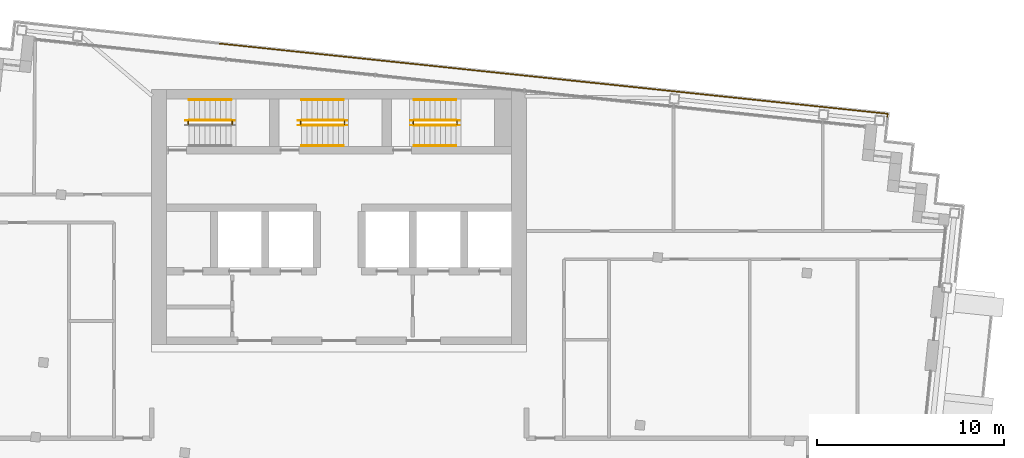
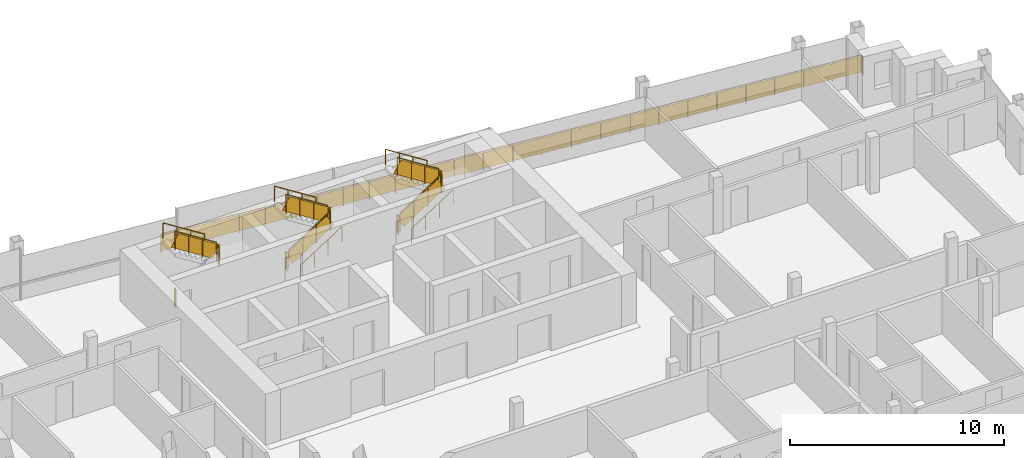
# One storey, part 15 of 16: 19 railings.
"""IFC4 building model written with IfcOpenShell, lengths in metres."""

from ifc_helpers import new_model, si_unit, direction, frame, origin, origin_2d, place, context, subcontext, project, spatial, rectangle, circle, extrude, material, type_object, element, save


model = new_model("IFC4")

# Units and contexts
model_context = context("Model", 3, precision=1e-05, world=origin(), true_north=direction((0.0, 1.0)))
body_context = subcontext(model_context, "Body", "Model", "MODEL_VIEW")
ifc_project = project(units=[si_unit("LENGTHUNIT", "METRE"), si_unit("AREAUNIT", "SQUARE_METRE"), si_unit("VOLUMEUNIT", "CUBIC_METRE"), si_unit("PLANEANGLEUNIT", "RADIAN"), si_unit("MASSUNIT", "GRAM", prefix="KILO")], contexts=[model_context])

# Site, building, storey
site_placement = place(None, origin())
site = spatial("IfcSite", under=ifc_project, at=site_placement, CompositionType="ELEMENT")
building_placement = place(site_placement, origin())
building = spatial("IfcBuilding", under=site, at=building_placement, Name="Vidyagriha Tower", CompositionType="ELEMENT")
storey_placement = place(building_placement, frame((0.0, 0.0, 259.5)))
storey = spatial("IfcBuildingStorey", under=building, at=storey_placement, Name="L67", CompositionType="ELEMENT", Elevation=259.5)

# Railings
ifc_material_1 = material(Name="Steel ASTM A500 Grade C black painted", Category="steel")
railing_type_1 = type_object("IfcRailingType", Name="Gallery guard 1100", PredefinedType="GUARDRAIL", material=ifc_material_1)
railing_1_placement = place(storey_placement, frame((-6.382080078125, 22.45068359375, 0.0)))
element("IfcRailing", 1, at=railing_1_placement, inside=storey, type_object=railing_type_1, Name="Gallery guard L67 6", PredefinedType="GUARDRAIL", context=body_context, shape_type="SweptSolid", body=[
    extrude(circle(Radius=0.02490234375, at=origin_2d()), frame((0.0, 0.0, 1.0751953125), z_axis=(0.994523609071, -0.104512157188, 0.0), x_axis=(0.104512157188, 0.994523609071, 0.0)), (0.0, 0.0, 1.0), 12.0),
    extrude(circle(Radius=0.02001953125, at=origin_2d()), origin(), (0.0, 0.0, 1.0), 1.050048828125),
    extrude(circle(Radius=0.02001953125, at=origin_2d()), frame((1.325927734375, -0.139404296875, 0.0)), (0.0, 0.0, 1.0), 1.050048828125),
    extrude(circle(Radius=0.02001953125, at=origin_2d()), frame((2.652099609375, -0.27880859375, 0.0)), (0.0, 0.0, 1.0), 1.050048828125),
    extrude(circle(Radius=0.02001953125, at=origin_2d()), frame((3.97802734375, -0.41796875, 0.0)), (0.0, 0.0, 1.0), 1.050048828125),
    extrude(circle(Radius=0.02001953125, at=origin_2d()), frame((5.30419921875, -0.557373046875, 0.0)), (0.0, 0.0, 1.0), 1.050048828125),
    extrude(circle(Radius=0.02001953125, at=origin_2d()), frame((6.630126953125, -0.69677734375, 0.0)), (0.0, 0.0, 1.0), 1.050048828125),
    extrude(circle(Radius=0.02001953125, at=origin_2d()), frame((7.956298828125, -0.836181640625, 0.0)), (0.0, 0.0, 1.0), 1.050048828125),
    extrude(circle(Radius=0.02001953125, at=origin_2d()), frame((9.2822265625, -0.975341796875, 0.0)), (0.0, 0.0, 1.0), 1.050048828125),
    extrude(circle(Radius=0.02001953125, at=origin_2d()), frame((10.6083984375, -1.11474609375, 0.0)), (0.0, 0.0, 1.0), 1.050048828125),
    extrude(circle(Radius=0.02001953125, at=origin_2d()), frame((11.934326171875, -1.254150390625, 0.0)), (0.0, 0.0, 1.0), 1.050048828125),
    extrude(rectangle(XDim=0.010009765625, YDim=0.900146484375, at=origin_2d()), frame((0.0, 0.0, 0.550048828125), z_axis=(0.994523609071, -0.104512157188, 0.0), x_axis=(0.104512157188, 0.994523609071, 0.0)), (0.0, 0.0, 1.0), 12.0),
])
railing_2_placement = place(storey_placement, frame((5.55224609375, 21.196533203125, 0.0)))
element("IfcRailing", 2, at=railing_2_placement, inside=storey, type_object=railing_type_1, Name="Gallery guard L67 7", PredefinedType="GUARDRAIL", context=body_context, shape_type="SweptSolid", body=[
    extrude(circle(Radius=0.02490234375, at=origin_2d()), frame((0.0, 0.0, 1.0751953125), z_axis=(0.994521271903, -0.104534394972, 0.0), x_axis=(0.104534394972, 0.994521271903, 0.0)), (0.0, 0.0, 1.0), 11.999755859375),
    extrude(circle(Radius=0.02001953125, at=origin_2d()), origin(), (0.0, 0.0, 1.0), 1.050048828125),
    extrude(circle(Radius=0.02001953125, at=origin_2d()), frame((1.49169921875, -0.15673828125, 0.0)), (0.0, 0.0, 1.0), 1.050048828125),
    extrude(circle(Radius=0.02001953125, at=origin_2d()), frame((2.9833984375, -0.3134765625, 0.0)), (0.0, 0.0, 1.0), 1.050048828125),
    extrude(circle(Radius=0.02001953125, at=origin_2d()), frame((4.475341796875, -0.470458984375, 0.0)), (0.0, 0.0, 1.0), 1.050048828125),
    extrude(circle(Radius=0.02001953125, at=origin_2d()), frame((5.967041015625, -0.627197265625, 0.0)), (0.0, 0.0, 1.0), 1.050048828125),
    extrude(circle(Radius=0.02001953125, at=origin_2d()), frame((7.458740234375, -0.783935546875, 0.0)), (0.0, 0.0, 1.0), 1.050048828125),
    extrude(circle(Radius=0.02001953125, at=origin_2d()), frame((8.95068359375, -0.94091796875, 0.0)), (0.0, 0.0, 1.0), 1.050048828125),
    extrude(circle(Radius=0.02001953125, at=origin_2d()), frame((10.4423828125, -1.09765625, 0.0)), (0.0, 0.0, 1.0), 1.050048828125),
    extrude(circle(Radius=0.02001953125, at=origin_2d()), frame((11.93408203125, -1.25439453125, 0.0)), (0.0, 0.0, 1.0), 1.050048828125),
    extrude(rectangle(XDim=0.010009765625, YDim=0.900146484375, at=origin_2d()), frame((0.0, 0.0, 0.550048828125), z_axis=(0.994521271903, -0.104534394972, 0.0), x_axis=(0.104534394972, 0.994521271903, 0.0)), (0.0, 0.0, 1.0), 11.999755859375),
])
railing_3_placement = place(storey_placement, frame((17.486328125, 19.942138671875, 0.0)))
element("IfcRailing", 3, at=railing_3_placement, inside=storey, type_object=railing_type_1, Name="Gallery guard L67 8", PredefinedType="GUARDRAIL", context=body_context, shape_type="SweptSolid", body=[
    extrude(circle(Radius=0.02490234375, at=origin_2d()), frame((0.0, 0.0, 1.0751953125), z_axis=(0.994522500633, -0.104522704396, 0.0), x_axis=(0.104522704396, 0.994522500633, 0.0)), (0.0, 0.0, 1.0), 11.840087890625),
    extrude(circle(Radius=0.02490234375, at=origin_2d()), frame((11.775146484375, -1.237548828125, 1.0751953125), z_axis=(-0.105240535143, -0.994446795843, 0.0), x_axis=(0.994446795843, -0.105240535143, 0.0)), (0.0, 0.0, 1.0), 0.16015625),
    extrude(circle(Radius=0.02001953125, at=origin_2d()), origin(), (0.0, 0.0, 1.0), 1.050048828125),
    extrude(circle(Radius=0.02001953125, at=origin_2d()), frame((1.471923828125, -0.15478515625, 0.0)), (0.0, 0.0, 1.0), 1.050048828125),
    extrude(circle(Radius=0.02001953125, at=origin_2d()), frame((2.94384765625, -0.309326171875, 0.0)), (0.0, 0.0, 1.0), 1.050048828125),
    extrude(circle(Radius=0.02001953125, at=origin_2d()), frame((4.415771484375, -0.464111328125, 0.0)), (0.0, 0.0, 1.0), 1.050048828125),
    extrude(circle(Radius=0.02001953125, at=origin_2d()), frame((5.8876953125, -0.61865234375, 0.0)), (0.0, 0.0, 1.0), 1.050048828125),
    extrude(circle(Radius=0.02001953125, at=origin_2d()), frame((7.359375, -0.7734375, 0.0)), (0.0, 0.0, 1.0), 1.050048828125),
    extrude(circle(Radius=0.02001953125, at=origin_2d()), frame((8.831298828125, -0.92822265625, 0.0)), (0.0, 0.0, 1.0), 1.050048828125),
    extrude(circle(Radius=0.02001953125, at=origin_2d()), frame((10.30322265625, -1.082763671875, 0.0)), (0.0, 0.0, 1.0), 1.050048828125),
    extrude(circle(Radius=0.02001953125, at=origin_2d()), frame((11.775146484375, -1.237548828125, 0.0)), (0.0, 0.0, 1.0), 1.050048828125),
    extrude(circle(Radius=0.02001953125, at=origin_2d()), frame((11.75830078125, -1.396728515625, 0.0)), (0.0, 0.0, 1.0), 1.050048828125),
    extrude(rectangle(XDim=0.010009765625, YDim=0.900146484375, at=origin_2d()), frame((0.0, 0.0, 0.550048828125), z_axis=(0.994522500633, -0.104522704396, 0.0), x_axis=(0.104522704396, 0.994522500633, 0.0)), (0.0, 0.0, 1.0), 11.840087890625),
    extrude(rectangle(XDim=0.010009765625, YDim=0.900146484375, at=origin_2d()), frame((11.775146484375, -1.237548828125, 0.550048828125), z_axis=(-0.105240535143, -0.994446795843, 0.0), x_axis=(0.994446795843, -0.105240535143, 0.0)), (0.0, 0.0, 1.0), 0.16015625),
])
ifc_material_2 = material(Name="Steel ASTM A500 Grade C", Category="steel")
railing_type_2 = type_object("IfcRailingType", Name="Stair guard 1100 mm, steel balustrade", PredefinedType="GUARDRAIL", material=ifc_material_2)
railing_4_placement = place(storey_placement, frame((-5.7099609375, 18.14990234375, 1.60009765625)))
element("IfcRailing", 4, at=railing_4_placement, inside=storey, type_object=railing_type_2, Name="L67 ST1 stair guard 2", PredefinedType="GUARDRAIL", context=body_context, shape_type="SweptSolid", body=[
    extrude(circle(Radius=0.02392578125, at=origin_2d()), frame((0.0, 0.0, 1.076171875), z_axis=(0.0, 1.0, 0.0), x_axis=(-1.0, 0.0, 0.0)), (0.0, 0.0, 1.0), 0.150146484375),
    extrude(circle(Radius=0.02099609375, at=origin_2d()), origin(), (0.0, 0.0, 1.0), 1.052001953125),
    extrude(circle(Radius=0.02099609375, at=origin_2d()), frame((0.0, 0.150146484375, 0.0)), (0.0, 0.0, 1.0), 1.052001953125),
    extrude(rectangle(XDim=0.010009765625, YDim=0.902099609375, at=origin_2d()), frame((0.0, 0.0, 0.551025390625), z_axis=(0.0, 1.0, 0.0), x_axis=(-1.0, 0.0, 0.0)), (0.0, 0.0, 1.0), 0.150146484375),
])
railing_5_placement = place(storey_placement, frame((-5.760009765625, 18.35009765625, 1.77783203125)))
element("IfcRailing", 5, at=railing_5_placement, inside=storey, type_object=railing_type_2, Name="L67 ST1 stair guard 3", PredefinedType="GUARDRAIL", context=body_context, shape_type="SweptSolid", body=[
    extrude(circle(Radius=0.02392578125, at=origin_2d()), frame((0.0, 0.0, 1.076171875), z_axis=(-0.8442293374, 0.0, 0.53598211339), x_axis=(0.0, -1.0, 0.0)), (0.0, 0.0, 1.0), 2.6533203125),
    extrude(circle(Radius=0.02099609375, at=origin_2d()), origin(), (0.0, 0.0, 1.0), 1.052001953125),
    extrude(circle(Radius=0.02099609375, at=origin_2d()), frame((-0.74658203125, 0.0, 0.47412109375)), (0.0, 0.0, 1.0), 1.052001953125),
    extrude(circle(Radius=0.02099609375, at=origin_2d()), frame((-1.493408203125, 0.0, 0.947998046875)), (0.0, 0.0, 1.0), 1.052001953125),
    extrude(circle(Radius=0.02099609375, at=origin_2d()), frame((-2.239990234375, 0.0, 1.422119140625)), (0.0, 0.0, 1.0), 1.052001953125),
    extrude(rectangle(XDim=0.010009765625, YDim=0.761474609375, at=origin_2d()), frame((0.0, 0.0, 0.551025390625), z_axis=(-0.8442293374, 0.0, 0.53598211339), x_axis=(0.0, -1.0, 0.0)), (0.0, 0.0, 1.0), 2.6533203125),
])
railing_6_placement = place(storey_placement, frame((-8.050048828125, 18.14990234375, 0.0)))
element("IfcRailing", 6, at=railing_6_placement, inside=storey, type_object=railing_type_2, Name="L67 ST1 stair guard 4", PredefinedType="GUARDRAIL", context=body_context, shape_type="SweptSolid", body=[
    extrude(circle(Radius=0.02392578125, at=origin_2d()), frame((0.0, 0.0, 1.076171875), z_axis=(0.0, 1.0, 0.0), x_axis=(-1.0, 0.0, 0.0)), (0.0, 0.0, 1.0), 0.150146484375),
    extrude(circle(Radius=0.02099609375, at=origin_2d()), origin(), (0.0, 0.0, 1.0), 1.052001953125),
    extrude(circle(Radius=0.02099609375, at=origin_2d()), frame((0.0, 0.150146484375, 0.0)), (0.0, 0.0, 1.0), 1.052001953125),
    extrude(rectangle(XDim=0.010009765625, YDim=0.902099609375, at=origin_2d()), frame((0.0, 0.0, 0.551025390625), z_axis=(0.0, 1.0, 0.0), x_axis=(-1.0, 0.0, 0.0)), (0.0, 0.0, 1.0), 0.150146484375),
])
railing_7_placement = place(storey_placement, frame((-2.0, 18.10009765625, 0.177734375)))
element("IfcRailing", 7, at=railing_7_placement, inside=storey, type_object=railing_type_2, Name="L67 ST2 stair guard 1", PredefinedType="GUARDRAIL", context=body_context, shape_type="SweptSolid", body=[
    extrude(circle(Radius=0.02392578125, at=origin_2d()), frame((0.0, 0.0, 1.076171875), z_axis=(0.84418770128, 0.0, 0.536047689118), x_axis=(0.0, 1.0, 0.0)), (0.0, 0.0, 1.0), 2.6533203125),
    extrude(circle(Radius=0.02099609375, at=origin_2d()), origin(), (0.0, 0.0, 1.0), 1.052001953125),
    extrude(circle(Radius=0.02099609375, at=origin_2d()), frame((0.74658203125, 0.0, 0.47412109375)), (0.0, 0.0, 1.0), 1.052001953125),
    extrude(circle(Radius=0.02099609375, at=origin_2d()), frame((1.493408203125, 0.0, 0.9482421875)), (0.0, 0.0, 1.0), 1.052001953125),
    extrude(circle(Radius=0.02099609375, at=origin_2d()), frame((2.239990234375, 0.0, 1.42236328125)), (0.0, 0.0, 1.0), 1.052001953125),
    extrude(rectangle(XDim=0.010009765625, YDim=0.761474609375, at=origin_2d()), frame((0.0, 0.0, 0.551025390625), z_axis=(0.84418770128, 0.0, 0.536047689118), x_axis=(0.0, 1.0, 0.0)), (0.0, 0.0, 1.0), 2.6533203125),
])
railing_8_placement = place(storey_placement, frame((0.2900390625, 18.14990234375, 1.60009765625)))
element("IfcRailing", 8, at=railing_8_placement, inside=storey, type_object=railing_type_2, Name="L67 ST2 stair guard 2", PredefinedType="GUARDRAIL", context=body_context, shape_type="SweptSolid", body=[
    extrude(circle(Radius=0.02392578125, at=origin_2d()), frame((0.0, 0.0, 1.076171875), z_axis=(0.0, 1.0, 0.0), x_axis=(-1.0, 0.0, 0.0)), (0.0, 0.0, 1.0), 0.150146484375),
    extrude(circle(Radius=0.02099609375, at=origin_2d()), origin(), (0.0, 0.0, 1.0), 1.052001953125),
    extrude(circle(Radius=0.02099609375, at=origin_2d()), frame((0.0, 0.150146484375, 0.0)), (0.0, 0.0, 1.0), 1.052001953125),
    extrude(rectangle(XDim=0.010009765625, YDim=0.902099609375, at=origin_2d()), frame((0.0, 0.0, 0.551025390625), z_axis=(0.0, 1.0, 0.0), x_axis=(-1.0, 0.0, 0.0)), (0.0, 0.0, 1.0), 0.150146484375),
])
railing_9_placement = place(storey_placement, frame((0.239990234375, 18.35009765625, 1.77783203125)))
element("IfcRailing", 9, at=railing_9_placement, inside=storey, type_object=railing_type_2, Name="L67 ST2 stair guard 3", PredefinedType="GUARDRAIL", context=body_context, shape_type="SweptSolid", body=[
    extrude(circle(Radius=0.02392578125, at=origin_2d()), frame((0.0, 0.0, 1.076171875), z_axis=(-0.8442293374, 0.0, 0.53598211339), x_axis=(0.0, -1.0, 0.0)), (0.0, 0.0, 1.0), 2.6533203125),
    extrude(circle(Radius=0.02099609375, at=origin_2d()), origin(), (0.0, 0.0, 1.0), 1.052001953125),
    extrude(circle(Radius=0.02099609375, at=origin_2d()), frame((-0.74658203125, 0.0, 0.47412109375)), (0.0, 0.0, 1.0), 1.052001953125),
    extrude(circle(Radius=0.02099609375, at=origin_2d()), frame((-1.493408203125, 0.0, 0.947998046875)), (0.0, 0.0, 1.0), 1.052001953125),
    extrude(circle(Radius=0.02099609375, at=origin_2d()), frame((-2.239990234375, 0.0, 1.422119140625)), (0.0, 0.0, 1.0), 1.052001953125),
    extrude(rectangle(XDim=0.010009765625, YDim=0.761474609375, at=origin_2d()), frame((0.0, 0.0, 0.551025390625), z_axis=(-0.8442293374, 0.0, 0.53598211339), x_axis=(0.0, -1.0, 0.0)), (0.0, 0.0, 1.0), 2.6533203125),
])
railing_10_placement = place(storey_placement, frame((-2.050048828125, 18.14990234375, 0.0)))
element("IfcRailing", 10, at=railing_10_placement, inside=storey, type_object=railing_type_2, Name="L67 ST2 stair guard 4", PredefinedType="GUARDRAIL", context=body_context, shape_type="SweptSolid", body=[
    extrude(circle(Radius=0.02392578125, at=origin_2d()), frame((0.0, 0.0, 1.076171875), z_axis=(0.0, 1.0, 0.0), x_axis=(-1.0, 0.0, 0.0)), (0.0, 0.0, 1.0), 0.150146484375),
    extrude(circle(Radius=0.02099609375, at=origin_2d()), origin(), (0.0, 0.0, 1.0), 1.052001953125),
    extrude(circle(Radius=0.02099609375, at=origin_2d()), frame((0.0, 0.150146484375, 0.0)), (0.0, 0.0, 1.0), 1.052001953125),
    extrude(rectangle(XDim=0.010009765625, YDim=0.902099609375, at=origin_2d()), frame((0.0, 0.0, 0.551025390625), z_axis=(0.0, 1.0, 0.0), x_axis=(-1.0, 0.0, 0.0)), (0.0, 0.0, 1.0), 0.150146484375),
])
railing_11_placement = place(storey_placement, frame((4.0, 18.10009765625, 0.177734375)))
element("IfcRailing", 11, at=railing_11_placement, inside=storey, type_object=railing_type_2, Name="L67 ST3 stair guard 1", PredefinedType="GUARDRAIL", context=body_context, shape_type="SweptSolid", body=[
    extrude(circle(Radius=0.02392578125, at=origin_2d()), frame((0.0, 0.0, 1.076171875), z_axis=(0.84418770128, 0.0, 0.536047689118), x_axis=(0.0, 1.0, 0.0)), (0.0, 0.0, 1.0), 2.6533203125),
    extrude(circle(Radius=0.02099609375, at=origin_2d()), origin(), (0.0, 0.0, 1.0), 1.052001953125),
    extrude(circle(Radius=0.02099609375, at=origin_2d()), frame((0.74658203125, 0.0, 0.47412109375)), (0.0, 0.0, 1.0), 1.052001953125),
    extrude(circle(Radius=0.02099609375, at=origin_2d()), frame((1.493408203125, 0.0, 0.9482421875)), (0.0, 0.0, 1.0), 1.052001953125),
    extrude(circle(Radius=0.02099609375, at=origin_2d()), frame((2.239990234375, 0.0, 1.42236328125)), (0.0, 0.0, 1.0), 1.052001953125),
    extrude(rectangle(XDim=0.010009765625, YDim=0.761474609375, at=origin_2d()), frame((0.0, 0.0, 0.551025390625), z_axis=(0.84418770128, 0.0, 0.536047689118), x_axis=(0.0, 1.0, 0.0)), (0.0, 0.0, 1.0), 2.6533203125),
])
railing_12_placement = place(storey_placement, frame((6.2900390625, 18.14990234375, 1.60009765625)))
element("IfcRailing", 12, at=railing_12_placement, inside=storey, type_object=railing_type_2, Name="L67 ST3 stair guard 2", PredefinedType="GUARDRAIL", context=body_context, shape_type="SweptSolid", body=[
    extrude(circle(Radius=0.02392578125, at=origin_2d()), frame((0.0, 0.0, 1.076171875), z_axis=(0.0, 1.0, 0.0), x_axis=(-1.0, 0.0, 0.0)), (0.0, 0.0, 1.0), 0.150146484375),
    extrude(circle(Radius=0.02099609375, at=origin_2d()), origin(), (0.0, 0.0, 1.0), 1.052001953125),
    extrude(circle(Radius=0.02099609375, at=origin_2d()), frame((0.0, 0.150146484375, 0.0)), (0.0, 0.0, 1.0), 1.052001953125),
    extrude(rectangle(XDim=0.010009765625, YDim=0.902099609375, at=origin_2d()), frame((0.0, 0.0, 0.551025390625), z_axis=(0.0, 1.0, 0.0), x_axis=(-1.0, 0.0, 0.0)), (0.0, 0.0, 1.0), 0.150146484375),
])
railing_13_placement = place(storey_placement, frame((6.239990234375, 18.35009765625, 1.77783203125)))
element("IfcRailing", 13, at=railing_13_placement, inside=storey, type_object=railing_type_2, Name="L67 ST3 stair guard 3", PredefinedType="GUARDRAIL", context=body_context, shape_type="SweptSolid", body=[
    extrude(circle(Radius=0.02392578125, at=origin_2d()), frame((0.0, 0.0, 1.076171875), z_axis=(-0.8442293374, 0.0, 0.53598211339), x_axis=(0.0, -1.0, 0.0)), (0.0, 0.0, 1.0), 2.6533203125),
    extrude(circle(Radius=0.02099609375, at=origin_2d()), origin(), (0.0, 0.0, 1.0), 1.052001953125),
    extrude(circle(Radius=0.02099609375, at=origin_2d()), frame((-0.74658203125, 0.0, 0.47412109375)), (0.0, 0.0, 1.0), 1.052001953125),
    extrude(circle(Radius=0.02099609375, at=origin_2d()), frame((-1.493408203125, 0.0, 0.947998046875)), (0.0, 0.0, 1.0), 1.052001953125),
    extrude(circle(Radius=0.02099609375, at=origin_2d()), frame((-2.239990234375, 0.0, 1.422119140625)), (0.0, 0.0, 1.0), 1.052001953125),
    extrude(rectangle(XDim=0.010009765625, YDim=0.761474609375, at=origin_2d()), frame((0.0, 0.0, 0.551025390625), z_axis=(-0.8442293374, 0.0, 0.53598211339), x_axis=(0.0, -1.0, 0.0)), (0.0, 0.0, 1.0), 2.6533203125),
])
railing_14_placement = place(storey_placement, frame((3.949951171875, 18.14990234375, 0.0)))
element("IfcRailing", 14, at=railing_14_placement, inside=storey, type_object=railing_type_2, Name="L67 ST3 stair guard 4", PredefinedType="GUARDRAIL", context=body_context, shape_type="SweptSolid", body=[
    extrude(circle(Radius=0.02392578125, at=origin_2d()), frame((0.0, 0.0, 1.076171875), z_axis=(0.0, 1.0, 0.0), x_axis=(-1.0, 0.0, 0.0)), (0.0, 0.0, 1.0), 0.150146484375),
    extrude(circle(Radius=0.02099609375, at=origin_2d()), origin(), (0.0, 0.0, 1.0), 1.052001953125),
    extrude(circle(Radius=0.02099609375, at=origin_2d()), frame((0.0, 0.150146484375, 0.0)), (0.0, 0.0, 1.0), 1.052001953125),
    extrude(rectangle(XDim=0.010009765625, YDim=0.902099609375, at=origin_2d()), frame((0.0, 0.0, 0.551025390625), z_axis=(0.0, 1.0, 0.0), x_axis=(-1.0, 0.0, 0.0)), (0.0, 0.0, 1.0), 0.150146484375),
])
ifc_material_3 = material(Name="Steel ASTM A500 Grade C", Category="steel")
railing_type_3 = type_object("IfcRailingType", Name="Stair handrail 900 mm, steel", PredefinedType="HANDRAIL", material=ifc_material_3)
railing_15_placement = place(storey_placement, frame((-5.760009765625, 19.449951171875, 1.77783203125)))
element("IfcRailing", 15, at=railing_15_placement, inside=storey, type_object=railing_type_3, Name="L67 ST1 stair handrail 2", PredefinedType="HANDRAIL", context=body_context, shape_type="SweptSolid", body=[
    extrude(circle(Radius=0.02392578125, at=origin_2d()), frame((0.0, 0.0, 0.8759765625), z_axis=(-0.8442293374, 0.0, 0.53598211339), x_axis=(0.0, -1.0, 0.0)), (0.0, 0.0, 1.0), 2.6533203125),
    extrude(circle(Radius=0.02099609375, at=origin_2d()), origin(), (0.0, 0.0, 1.0), 0.851806640625),
    extrude(circle(Radius=0.02099609375, at=origin_2d()), frame((-0.74658203125, 0.0, 0.47412109375)), (0.0, 0.0, 1.0), 0.851806640625),
    extrude(circle(Radius=0.02099609375, at=origin_2d()), frame((-1.493408203125, 0.0, 0.947998046875)), (0.0, 0.0, 1.0), 0.851806640625),
    extrude(circle(Radius=0.02099609375, at=origin_2d()), frame((-2.239990234375, 0.0, 1.422119140625)), (0.0, 0.0, 1.0), 0.851806640625),
])
railing_16_placement = place(storey_placement, frame((-2.0, 17.0, 0.177734375)))
element("IfcRailing", 16, at=railing_16_placement, inside=storey, type_object=railing_type_3, Name="L67 ST2 stair handrail 1", PredefinedType="HANDRAIL", context=body_context, shape_type="SweptSolid", body=[
    extrude(circle(Radius=0.02392578125, at=origin_2d()), frame((0.0, 0.0, 0.8759765625), z_axis=(0.84418770128, 0.0, 0.536047689118), x_axis=(0.0, 1.0, 0.0)), (0.0, 0.0, 1.0), 2.6533203125),
    extrude(circle(Radius=0.02099609375, at=origin_2d()), origin(), (0.0, 0.0, 1.0), 0.851806640625),
    extrude(circle(Radius=0.02099609375, at=origin_2d()), frame((0.74658203125, 0.0, 0.47412109375)), (0.0, 0.0, 1.0), 0.851806640625),
    extrude(circle(Radius=0.02099609375, at=origin_2d()), frame((1.493408203125, 0.0, 0.9482421875)), (0.0, 0.0, 1.0), 0.851806640625),
    extrude(circle(Radius=0.02099609375, at=origin_2d()), frame((2.239990234375, 0.0, 1.42236328125)), (0.0, 0.0, 1.0), 0.851806640625),
])
railing_17_placement = place(storey_placement, frame((0.239990234375, 19.449951171875, 1.77783203125)))
element("IfcRailing", 17, at=railing_17_placement, inside=storey, type_object=railing_type_3, Name="L67 ST2 stair handrail 2", PredefinedType="HANDRAIL", context=body_context, shape_type="SweptSolid", body=[
    extrude(circle(Radius=0.02392578125, at=origin_2d()), frame((0.0, 0.0, 0.8759765625), z_axis=(-0.8442293374, 0.0, 0.53598211339), x_axis=(0.0, -1.0, 0.0)), (0.0, 0.0, 1.0), 2.6533203125),
    extrude(circle(Radius=0.02099609375, at=origin_2d()), origin(), (0.0, 0.0, 1.0), 0.851806640625),
    extrude(circle(Radius=0.02099609375, at=origin_2d()), frame((-0.74658203125, 0.0, 0.47412109375)), (0.0, 0.0, 1.0), 0.851806640625),
    extrude(circle(Radius=0.02099609375, at=origin_2d()), frame((-1.493408203125, 0.0, 0.947998046875)), (0.0, 0.0, 1.0), 0.851806640625),
    extrude(circle(Radius=0.02099609375, at=origin_2d()), frame((-2.239990234375, 0.0, 1.422119140625)), (0.0, 0.0, 1.0), 0.851806640625),
])
railing_18_placement = place(storey_placement, frame((4.0, 17.0, 0.177734375)))
element("IfcRailing", 18, at=railing_18_placement, inside=storey, type_object=railing_type_3, Name="L67 ST3 stair handrail 1", PredefinedType="HANDRAIL", context=body_context, shape_type="SweptSolid", body=[
    extrude(circle(Radius=0.02392578125, at=origin_2d()), frame((0.0, 0.0, 0.8759765625), z_axis=(0.84418770128, 0.0, 0.536047689118), x_axis=(0.0, 1.0, 0.0)), (0.0, 0.0, 1.0), 2.6533203125),
    extrude(circle(Radius=0.02099609375, at=origin_2d()), origin(), (0.0, 0.0, 1.0), 0.851806640625),
    extrude(circle(Radius=0.02099609375, at=origin_2d()), frame((0.74658203125, 0.0, 0.47412109375)), (0.0, 0.0, 1.0), 0.851806640625),
    extrude(circle(Radius=0.02099609375, at=origin_2d()), frame((1.493408203125, 0.0, 0.9482421875)), (0.0, 0.0, 1.0), 0.851806640625),
    extrude(circle(Radius=0.02099609375, at=origin_2d()), frame((2.239990234375, 0.0, 1.42236328125)), (0.0, 0.0, 1.0), 0.851806640625),
])
railing_19_placement = place(storey_placement, frame((6.239990234375, 19.449951171875, 1.77783203125)))
element("IfcRailing", 19, at=railing_19_placement, inside=storey, type_object=railing_type_3, Name="L67 ST3 stair handrail 2", PredefinedType="HANDRAIL", context=body_context, shape_type="SweptSolid", body=[
    extrude(circle(Radius=0.02392578125, at=origin_2d()), frame((0.0, 0.0, 0.8759765625), z_axis=(-0.8442293374, 0.0, 0.53598211339), x_axis=(0.0, -1.0, 0.0)), (0.0, 0.0, 1.0), 2.6533203125),
    extrude(circle(Radius=0.02099609375, at=origin_2d()), origin(), (0.0, 0.0, 1.0), 0.851806640625),
    extrude(circle(Radius=0.02099609375, at=origin_2d()), frame((-0.74658203125, 0.0, 0.47412109375)), (0.0, 0.0, 1.0), 0.851806640625),
    extrude(circle(Radius=0.02099609375, at=origin_2d()), frame((-1.493408203125, 0.0, 0.947998046875)), (0.0, 0.0, 1.0), 0.851806640625),
    extrude(circle(Radius=0.02099609375, at=origin_2d()), frame((-2.239990234375, 0.0, 1.422119140625)), (0.0, 0.0, 1.0), 0.851806640625),
])

save(model, "model.ifc")
